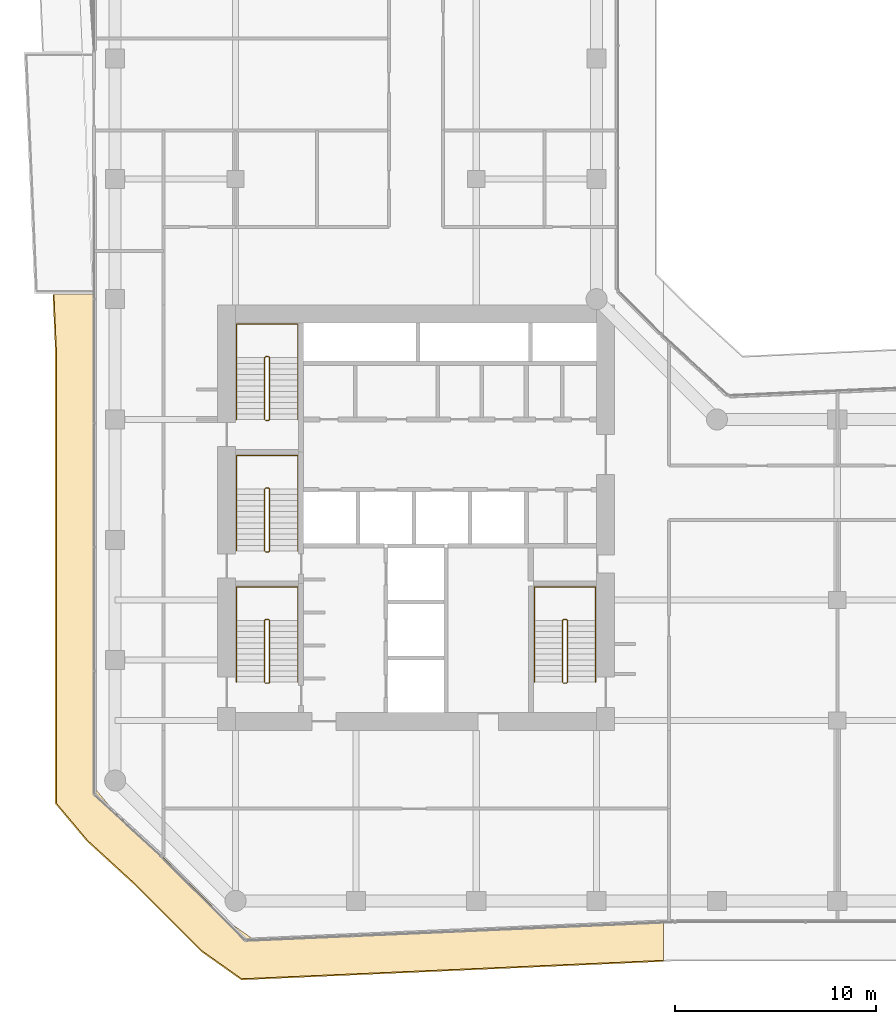
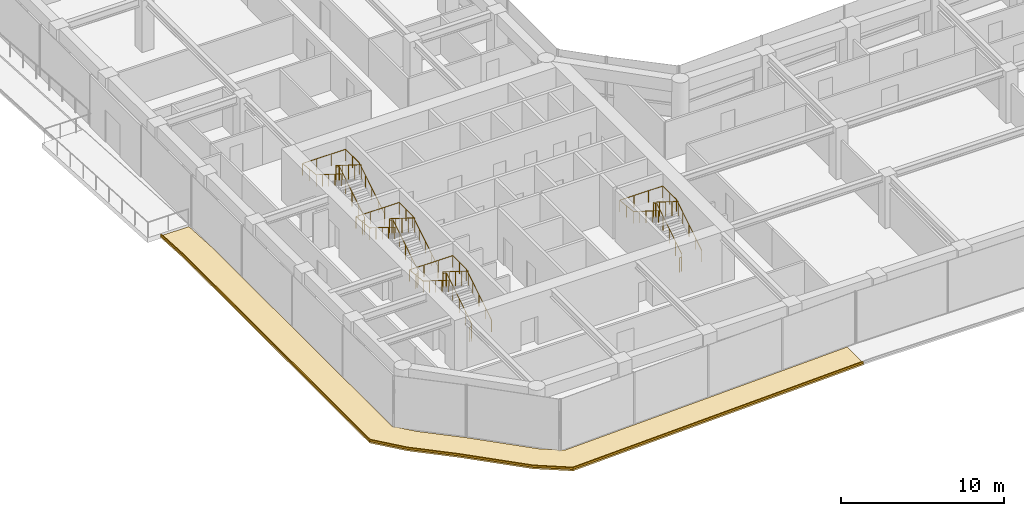
# One storey, part 28 of 29: 8 railings, 2 coverings.
"""IFC4 building model written with IfcOpenShell, lengths in metres."""

from ifc_helpers import new_model, si_unit, direction, frame, origin, origin_2d, place, context, subcontext, project, spatial, polyline, circle, outline, extrude, material, layer, layer_set, type_object, element, save


model = new_model("IFC4")

# Units and contexts
model_context = context("Model", 3, precision=1e-05, world=origin(), true_north=direction((0.0, 1.0)))
body_context = subcontext(model_context, "Body", "Model", "MODEL_VIEW")
ifc_project = project(units=[si_unit("LENGTHUNIT", "METRE"), si_unit("AREAUNIT", "SQUARE_METRE"), si_unit("VOLUMEUNIT", "CUBIC_METRE"), si_unit("PLANEANGLEUNIT", "RADIAN"), si_unit("MASSUNIT", "GRAM", prefix="KILO")], contexts=[model_context])

# Site, building, storey
site_placement = place(None, origin())
site = spatial("IfcSite", under=ifc_project, at=site_placement, CompositionType="ELEMENT")
building_placement = place(site_placement, origin())
building = spatial("IfcBuilding", under=site, at=building_placement, Name="Welwitschia Terrace Campus", CompositionType="ELEMENT")
storey_placement = place(building_placement, frame((0.0, 0.0, 62.60009765625)))
storey = spatial("IfcBuildingStorey", under=building, at=storey_placement, Name="L14", CompositionType="ELEMENT", Elevation=62.60009765625)

# Railings
ifc_material_1 = material(Name="Steel S355", Category="steel")
railing_type_1 = type_object("IfcRailingType", Name="Stair guard 1100", PredefinedType="GUARDRAIL", material=ifc_material_1)
railing_1_placement = place(storey_placement, frame((7.5, 6.85009765625, 0.0)))
element("IfcRailing", 1, at=railing_1_placement, inside=storey, type_object=railing_type_1, Name="L14 S1 stair guard", PredefinedType="GUARDRAIL", context=body_context, shape_type="SweptSolid", body=[
    extrude(circle(Radius=0.02392578125, at=origin_2d()), frame((0.0, 0.0, 1.076171875), z_axis=(1.0, 0.0, 0.0), x_axis=(0.0, 1.0, 0.0)), (0.0, 0.0, 1.0), 0.14990234375),
    extrude(circle(Radius=0.02392578125, at=origin_2d()), frame((0.14990234375, 0.0, 1.076171875), z_axis=(0.265474339444, 0.264179342666, 0.927217692888), x_axis=(-0.705375805398, 0.708833529934, 0.0)), (0.0, 0.0, 1.0), 0.1884765625),
    extrude(circle(Radius=0.02392578125, at=origin_2d()), frame((0.199951171875, 0.0498046875, 1.2509765625), z_axis=(0.0, 0.847998304005, 0.529998940003), x_axis=(-1.0, 0.0, 0.0)), (0.0, 0.0, 1.0), 3.632080078125),
    extrude(circle(Radius=0.02392578125, at=origin_2d()), frame((0.199951171875, 3.1298828125, 3.17578125), z_axis=(-0.707106781187, 0.707106781187, 0.0), x_axis=(-0.707106781187, -0.707106781187, 0.0)), (0.0, 0.0, 1.0), 0.07080078125),
    extrude(circle(Radius=0.02392578125, at=origin_2d()), frame((0.14990234375, 3.179931640625, 3.17578125), z_axis=(-1.0, 0.0, 0.0), x_axis=(0.0, -1.0, 0.0)), (0.0, 0.0, 1.0), 0.14990234375),
    extrude(circle(Radius=0.02392578125, at=origin_2d()), frame((0.0, 3.179931640625, 3.17578125), z_axis=(-0.265065253269, -0.265065253269, 0.927081885822), x_axis=(0.707106781187, -0.707106781187, 0.0)), (0.0, 0.0, 1.0), 0.188720703125),
    extrude(circle(Radius=0.02392578125, at=origin_2d()), frame((-0.050048828125, 3.1298828125, 3.35107421875), z_axis=(0.0, -0.847998304005, 0.529998940003), x_axis=(1.0, 0.0, 0.0)), (0.0, 0.0, 1.0), 3.632080078125),
    extrude(circle(Radius=0.02099609375, at=origin_2d()), origin(), (0.0, 0.0, 1.0), 1.052001953125),
    extrude(circle(Radius=0.02099609375, at=origin_2d()), frame((0.14990234375, 0.0, 0.0)), (0.0, 0.0, 1.0), 1.052001953125),
    extrude(circle(Radius=0.02099609375, at=origin_2d()), frame((0.199951171875, 0.0498046875, 0.1748046875)), (0.0, 0.0, 1.0), 1.052001953125),
    extrude(circle(Radius=0.02099609375, at=origin_2d()), frame((0.199951171875, 0.81982421875, 0.656005859375)), (0.0, 0.0, 1.0), 1.052001953125),
    extrude(circle(Radius=0.02099609375, at=origin_2d()), frame((0.199951171875, 1.58984375, 1.13720703125)), (0.0, 0.0, 1.0), 1.052001953125),
    extrude(circle(Radius=0.02099609375, at=origin_2d()), frame((0.199951171875, 2.35986328125, 1.61865234375)), (0.0, 0.0, 1.0), 1.052001953125),
    extrude(circle(Radius=0.02099609375, at=origin_2d()), frame((0.199951171875, 3.1298828125, 2.099853515625)), (0.0, 0.0, 1.0), 1.052001953125),
    extrude(circle(Radius=0.02099609375, at=origin_2d()), frame((0.14990234375, 3.179931640625, 2.099853515625)), (0.0, 0.0, 1.0), 1.052001953125),
    extrude(circle(Radius=0.02099609375, at=origin_2d()), frame((0.0, 3.179931640625, 2.099853515625)), (0.0, 0.0, 1.0), 1.052001953125),
    extrude(circle(Radius=0.02099609375, at=origin_2d()), frame((-0.050048828125, 3.1298828125, 2.27490234375)), (0.0, 0.0, 1.0), 1.052001953125),
    extrude(circle(Radius=0.02099609375, at=origin_2d()), frame((-0.050048828125, 2.35986328125, 2.756103515625)), (0.0, 0.0, 1.0), 1.052001953125),
    extrude(circle(Radius=0.02099609375, at=origin_2d()), frame((-0.050048828125, 1.58984375, 3.2373046875)), (0.0, 0.0, 1.0), 1.052001953125),
    extrude(circle(Radius=0.02099609375, at=origin_2d()), frame((-0.050048828125, 0.81982421875, 3.71875)), (0.0, 0.0, 1.0), 1.052001953125),
    extrude(circle(Radius=0.02099609375, at=origin_2d()), frame((-0.050048828125, 0.0498046875, 4.199951171875)), (0.0, 0.0, 1.0), 1.052001953125),
])
railing_2_placement = place(storey_placement, frame((7.5, 13.39990234375, 0.0)))
element("IfcRailing", 2, at=railing_2_placement, inside=storey, type_object=railing_type_1, Name="L14 S3 stair guard", PredefinedType="GUARDRAIL", context=body_context, shape_type="SweptSolid", body=[
    extrude(circle(Radius=0.02392578125, at=origin_2d()), frame((0.0, 0.0, 1.076171875), z_axis=(1.0, 0.0, 0.0), x_axis=(0.0, 1.0, 0.0)), (0.0, 0.0, 1.0), 0.14990234375),
    extrude(circle(Radius=0.02392578125, at=origin_2d()), frame((0.14990234375, 0.0, 1.076171875), z_axis=(0.265383341853, 0.265383341853, 0.926899867156), x_axis=(-0.707106781187, 0.707106781187, 0.0)), (0.0, 0.0, 1.0), 0.1884765625),
    extrude(circle(Radius=0.02392578125, at=origin_2d()), frame((0.199951171875, 0.050048828125, 1.2509765625), z_axis=(0.0, 0.847998304005, 0.529998940003), x_axis=(-1.0, 0.0, 0.0)), (0.0, 0.0, 1.0), 3.632080078125),
    extrude(circle(Radius=0.02392578125, at=origin_2d()), frame((0.199951171875, 3.130126953125, 3.17578125), z_axis=(-0.707106781187, 0.707106781187, 0.0), x_axis=(-0.707106781187, -0.707106781187, 0.0)), (0.0, 0.0, 1.0), 0.07080078125),
    extrude(circle(Radius=0.02392578125, at=origin_2d()), frame((0.14990234375, 3.18017578125, 3.17578125), z_axis=(-1.0, 0.0, 0.0), x_axis=(0.0, -1.0, 0.0)), (0.0, 0.0, 1.0), 0.14990234375),
    extrude(circle(Radius=0.02392578125, at=origin_2d()), frame((0.0, 3.18017578125, 3.17578125), z_axis=(-0.265065253269, -0.265065253269, 0.927081885822), x_axis=(0.707106781187, -0.707106781187, 0.0)), (0.0, 0.0, 1.0), 0.188720703125),
    extrude(circle(Radius=0.02392578125, at=origin_2d()), frame((-0.050048828125, 3.130126953125, 3.35107421875), z_axis=(0.0, -0.847998304005, 0.529998940003), x_axis=(1.0, 0.0, 0.0)), (0.0, 0.0, 1.0), 3.632080078125),
    extrude(circle(Radius=0.02099609375, at=origin_2d()), origin(), (0.0, 0.0, 1.0), 1.052001953125),
    extrude(circle(Radius=0.02099609375, at=origin_2d()), frame((0.14990234375, 0.0, 0.0)), (0.0, 0.0, 1.0), 1.052001953125),
    extrude(circle(Radius=0.02099609375, at=origin_2d()), frame((0.199951171875, 0.050048828125, 0.1748046875)), (0.0, 0.0, 1.0), 1.052001953125),
    extrude(circle(Radius=0.02099609375, at=origin_2d()), frame((0.199951171875, 0.820068359375, 0.656005859375)), (0.0, 0.0, 1.0), 1.052001953125),
    extrude(circle(Radius=0.02099609375, at=origin_2d()), frame((0.199951171875, 1.590087890625, 1.13720703125)), (0.0, 0.0, 1.0), 1.052001953125),
    extrude(circle(Radius=0.02099609375, at=origin_2d()), frame((0.199951171875, 2.360107421875, 1.61865234375)), (0.0, 0.0, 1.0), 1.052001953125),
    extrude(circle(Radius=0.02099609375, at=origin_2d()), frame((0.199951171875, 3.130126953125, 2.099853515625)), (0.0, 0.0, 1.0), 1.052001953125),
    extrude(circle(Radius=0.02099609375, at=origin_2d()), frame((0.14990234375, 3.18017578125, 2.099853515625)), (0.0, 0.0, 1.0), 1.052001953125),
    extrude(circle(Radius=0.02099609375, at=origin_2d()), frame((0.0, 3.18017578125, 2.099853515625)), (0.0, 0.0, 1.0), 1.052001953125),
    extrude(circle(Radius=0.02099609375, at=origin_2d()), frame((-0.050048828125, 3.130126953125, 2.27490234375)), (0.0, 0.0, 1.0), 1.052001953125),
    extrude(circle(Radius=0.02099609375, at=origin_2d()), frame((-0.050048828125, 2.360107421875, 2.756103515625)), (0.0, 0.0, 1.0), 1.052001953125),
    extrude(circle(Radius=0.02099609375, at=origin_2d()), frame((-0.050048828125, 1.590087890625, 3.2373046875)), (0.0, 0.0, 1.0), 1.052001953125),
    extrude(circle(Radius=0.02099609375, at=origin_2d()), frame((-0.050048828125, 0.820068359375, 3.71875)), (0.0, 0.0, 1.0), 1.052001953125),
    extrude(circle(Radius=0.02099609375, at=origin_2d()), frame((-0.050048828125, 0.050048828125, 4.199951171875)), (0.0, 0.0, 1.0), 1.052001953125),
])
railing_3_placement = place(storey_placement, frame((7.5, 19.949951171875, 0.0)))
element("IfcRailing", 3, at=railing_3_placement, inside=storey, type_object=railing_type_1, Name="L14 S4 stair guard", PredefinedType="GUARDRAIL", context=body_context, shape_type="SweptSolid", body=[
    extrude(circle(Radius=0.02392578125, at=origin_2d()), frame((0.0, 0.0, 1.076171875), z_axis=(1.0, 0.0, 0.0), x_axis=(0.0, 1.0, 0.0)), (0.0, 0.0, 1.0), 0.14990234375),
    extrude(circle(Radius=0.02392578125, at=origin_2d()), frame((0.14990234375, 0.0, 1.076171875), z_axis=(0.265383341853, 0.265383341853, 0.926899867156), x_axis=(-0.707106781187, 0.707106781187, 0.0)), (0.0, 0.0, 1.0), 0.1884765625),
    extrude(circle(Radius=0.02392578125, at=origin_2d()), frame((0.199951171875, 0.050048828125, 1.2509765625), z_axis=(0.0, 0.847998304005, 0.529998940003), x_axis=(-1.0, 0.0, 0.0)), (0.0, 0.0, 1.0), 3.632080078125),
    extrude(circle(Radius=0.02392578125, at=origin_2d()), frame((0.199951171875, 3.130126953125, 3.17578125), z_axis=(-0.708833529934, 0.705375805398, 0.0), x_axis=(-0.705375805398, -0.708833529934, 0.0)), (0.0, 0.0, 1.0), 0.070556640625),
    extrude(circle(Radius=0.02392578125, at=origin_2d()), frame((0.14990234375, 3.179931640625, 3.17578125), z_axis=(-1.0, 0.0, 0.0), x_axis=(0.0, -1.0, 0.0)), (0.0, 0.0, 1.0), 0.14990234375),
    extrude(circle(Radius=0.02392578125, at=origin_2d()), frame((0.0, 3.179931640625, 3.17578125), z_axis=(-0.265155923931, -0.263862480399, 0.927399011991), x_axis=(0.705375805398, -0.708833529934, 0.0)), (0.0, 0.0, 1.0), 0.188720703125),
    extrude(circle(Radius=0.02392578125, at=origin_2d()), frame((-0.050048828125, 3.130126953125, 3.35107421875), z_axis=(0.0, -0.847998304005, 0.529998940003), x_axis=(1.0, 0.0, 0.0)), (0.0, 0.0, 1.0), 3.632080078125),
    extrude(circle(Radius=0.02099609375, at=origin_2d()), origin(), (0.0, 0.0, 1.0), 1.052001953125),
    extrude(circle(Radius=0.02099609375, at=origin_2d()), frame((0.14990234375, 0.0, 0.0)), (0.0, 0.0, 1.0), 1.052001953125),
    extrude(circle(Radius=0.02099609375, at=origin_2d()), frame((0.199951171875, 0.050048828125, 0.1748046875)), (0.0, 0.0, 1.0), 1.052001953125),
    extrude(circle(Radius=0.02099609375, at=origin_2d()), frame((0.199951171875, 0.820068359375, 0.656005859375)), (0.0, 0.0, 1.0), 1.052001953125),
    extrude(circle(Radius=0.02099609375, at=origin_2d()), frame((0.199951171875, 1.590087890625, 1.13720703125)), (0.0, 0.0, 1.0), 1.052001953125),
    extrude(circle(Radius=0.02099609375, at=origin_2d()), frame((0.199951171875, 2.360107421875, 1.61865234375)), (0.0, 0.0, 1.0), 1.052001953125),
    extrude(circle(Radius=0.02099609375, at=origin_2d()), frame((0.199951171875, 3.130126953125, 2.099853515625)), (0.0, 0.0, 1.0), 1.052001953125),
    extrude(circle(Radius=0.02099609375, at=origin_2d()), frame((0.14990234375, 3.179931640625, 2.099853515625)), (0.0, 0.0, 1.0), 1.052001953125),
    extrude(circle(Radius=0.02099609375, at=origin_2d()), frame((0.0, 3.179931640625, 2.099853515625)), (0.0, 0.0, 1.0), 1.052001953125),
    extrude(circle(Radius=0.02099609375, at=origin_2d()), frame((-0.050048828125, 3.130126953125, 2.27490234375)), (0.0, 0.0, 1.0), 1.052001953125),
    extrude(circle(Radius=0.02099609375, at=origin_2d()), frame((-0.050048828125, 2.360107421875, 2.756103515625)), (0.0, 0.0, 1.0), 1.052001953125),
    extrude(circle(Radius=0.02099609375, at=origin_2d()), frame((-0.050048828125, 1.590087890625, 3.2373046875)), (0.0, 0.0, 1.0), 1.052001953125),
    extrude(circle(Radius=0.02099609375, at=origin_2d()), frame((-0.050048828125, 0.820068359375, 3.71875)), (0.0, 0.0, 1.0), 1.052001953125),
    extrude(circle(Radius=0.02099609375, at=origin_2d()), frame((-0.050048828125, 0.050048828125, 4.199951171875)), (0.0, 0.0, 1.0), 1.052001953125),
])
railing_4_placement = place(storey_placement, frame((22.35009765625, 6.85009765625, 0.0)))
element("IfcRailing", 4, at=railing_4_placement, inside=storey, type_object=railing_type_1, Name="L14 S2 stair guard", PredefinedType="GUARDRAIL", context=body_context, shape_type="SweptSolid", body=[
    extrude(circle(Radius=0.02392578125, at=origin_2d()), frame((0.0, 0.0, 1.076171875), z_axis=(1.0, 0.0, 0.0), x_axis=(0.0, 1.0, 0.0)), (0.0, 0.0, 1.0), 0.14990234375),
    extrude(circle(Radius=0.02392578125, at=origin_2d()), frame((0.14990234375, 0.0, 1.076171875), z_axis=(0.265474339444, 0.264179342666, 0.927217692888), x_axis=(-0.705375805398, 0.708833529934, 0.0)), (0.0, 0.0, 1.0), 0.1884765625),
    extrude(circle(Radius=0.02392578125, at=origin_2d()), frame((0.199951171875, 0.0498046875, 1.2509765625), z_axis=(0.0, 0.847998304005, 0.529998940003), x_axis=(-1.0, 0.0, 0.0)), (0.0, 0.0, 1.0), 3.632080078125),
    extrude(circle(Radius=0.02392578125, at=origin_2d()), frame((0.199951171875, 3.1298828125, 3.17578125), z_axis=(-0.707106781187, 0.707106781187, 0.0), x_axis=(-0.707106781187, -0.707106781187, 0.0)), (0.0, 0.0, 1.0), 0.07080078125),
    extrude(circle(Radius=0.02392578125, at=origin_2d()), frame((0.14990234375, 3.179931640625, 3.17578125), z_axis=(-1.0, 0.0, 0.0), x_axis=(0.0, -1.0, 0.0)), (0.0, 0.0, 1.0), 0.14990234375),
    extrude(circle(Radius=0.02392578125, at=origin_2d()), frame((0.0, 3.179931640625, 3.17578125), z_axis=(-0.265065253269, -0.265065253269, 0.927081885822), x_axis=(0.707106781187, -0.707106781187, 0.0)), (0.0, 0.0, 1.0), 0.188720703125),
    extrude(circle(Radius=0.02392578125, at=origin_2d()), frame((-0.050048828125, 3.1298828125, 3.35107421875), z_axis=(0.0, -0.847998304005, 0.529998940003), x_axis=(1.0, 0.0, 0.0)), (0.0, 0.0, 1.0), 3.632080078125),
    extrude(circle(Radius=0.02099609375, at=origin_2d()), origin(), (0.0, 0.0, 1.0), 1.052001953125),
    extrude(circle(Radius=0.02099609375, at=origin_2d()), frame((0.14990234375, 0.0, 0.0)), (0.0, 0.0, 1.0), 1.052001953125),
    extrude(circle(Radius=0.02099609375, at=origin_2d()), frame((0.199951171875, 0.0498046875, 0.1748046875)), (0.0, 0.0, 1.0), 1.052001953125),
    extrude(circle(Radius=0.02099609375, at=origin_2d()), frame((0.199951171875, 0.81982421875, 0.656005859375)), (0.0, 0.0, 1.0), 1.052001953125),
    extrude(circle(Radius=0.02099609375, at=origin_2d()), frame((0.199951171875, 1.58984375, 1.13720703125)), (0.0, 0.0, 1.0), 1.052001953125),
    extrude(circle(Radius=0.02099609375, at=origin_2d()), frame((0.199951171875, 2.35986328125, 1.61865234375)), (0.0, 0.0, 1.0), 1.052001953125),
    extrude(circle(Radius=0.02099609375, at=origin_2d()), frame((0.199951171875, 3.1298828125, 2.099853515625)), (0.0, 0.0, 1.0), 1.052001953125),
    extrude(circle(Radius=0.02099609375, at=origin_2d()), frame((0.14990234375, 3.179931640625, 2.099853515625)), (0.0, 0.0, 1.0), 1.052001953125),
    extrude(circle(Radius=0.02099609375, at=origin_2d()), frame((0.0, 3.179931640625, 2.099853515625)), (0.0, 0.0, 1.0), 1.052001953125),
    extrude(circle(Radius=0.02099609375, at=origin_2d()), frame((-0.050048828125, 3.1298828125, 2.27490234375)), (0.0, 0.0, 1.0), 1.052001953125),
    extrude(circle(Radius=0.02099609375, at=origin_2d()), frame((-0.050048828125, 2.35986328125, 2.756103515625)), (0.0, 0.0, 1.0), 1.052001953125),
    extrude(circle(Radius=0.02099609375, at=origin_2d()), frame((-0.050048828125, 1.58984375, 3.2373046875)), (0.0, 0.0, 1.0), 1.052001953125),
    extrude(circle(Radius=0.02099609375, at=origin_2d()), frame((-0.050048828125, 0.81982421875, 3.71875)), (0.0, 0.0, 1.0), 1.052001953125),
    extrude(circle(Radius=0.02099609375, at=origin_2d()), frame((-0.050048828125, 0.0498046875, 4.199951171875)), (0.0, 0.0, 1.0), 1.052001953125),
])
ifc_material_2 = material(Name="Steel S355", Category="steel")
railing_type_2 = type_object("IfcRailingType", Name="Stair handrail 900", PredefinedType="HANDRAIL", material=ifc_material_2)
railing_5_placement = place(storey_placement, frame((9.10009765625, 6.89990234375, 0.1748046875)))
element("IfcRailing", 5, at=railing_5_placement, inside=storey, type_object=railing_type_2, Name="L14 S1 stair handrail", PredefinedType="HANDRAIL", context=body_context, shape_type="SweptSolid", body=[
    extrude(circle(Radius=0.02392578125, at=origin_2d()), frame((0.0, 0.0, 0.8759765625), z_axis=(0.0, 0.847998304005, 0.529998940003), x_axis=(-1.0, 0.0, 0.0)), (0.0, 0.0, 1.0), 3.632080078125),
    extrude(circle(Radius=0.02392578125, at=origin_2d()), frame((0.0, 3.080078125, 2.80078125), z_axis=(0.0, 1.0, 0.0), x_axis=(-1.0, 0.0, 0.0)), (0.0, 0.0, 1.0), 1.669921875),
    extrude(circle(Radius=0.02392578125, at=origin_2d()), frame((0.0, 4.75, 2.80078125), z_axis=(-1.0, 0.0, 0.0), x_axis=(0.0, -1.0, 0.0)), (0.0, 0.0, 1.0), 3.050048828125),
    extrude(circle(Radius=0.02392578125, at=origin_2d()), frame((-3.050048828125, 4.75, 2.80078125), z_axis=(0.0, -0.99455077262, 0.104253348533), x_axis=(1.0, 0.0, 0.0)), (0.0, 0.0, 1.0), 1.678955078125),
    extrude(circle(Radius=0.02392578125, at=origin_2d()), frame((-3.050048828125, 3.080078125, 2.97607421875), z_axis=(0.0, -0.847998304005, 0.529998940003), x_axis=(1.0, 0.0, 0.0)), (0.0, 0.0, 1.0), 3.632080078125),
    extrude(circle(Radius=0.02099609375, at=origin_2d()), origin(), (0.0, 0.0, 1.0), 0.851806640625),
    extrude(circle(Radius=0.02099609375, at=origin_2d()), frame((0.0, 0.77001953125, 0.481201171875)), (0.0, 0.0, 1.0), 0.851806640625),
    extrude(circle(Radius=0.02099609375, at=origin_2d()), frame((0.0, 1.5400390625, 0.96240234375)), (0.0, 0.0, 1.0), 0.851806640625),
    extrude(circle(Radius=0.02099609375, at=origin_2d()), frame((0.0, 2.31005859375, 1.44384765625)), (0.0, 0.0, 1.0), 0.851806640625),
    extrude(circle(Radius=0.02099609375, at=origin_2d()), frame((0.0, 3.080078125, 1.925048828125)), (0.0, 0.0, 1.0), 0.851806640625),
    extrude(circle(Radius=0.02099609375, at=origin_2d()), frame((0.0, 3.9150390625, 1.925048828125)), (0.0, 0.0, 1.0), 0.851806640625),
    extrude(circle(Radius=0.02099609375, at=origin_2d()), frame((0.0, 4.75, 1.925048828125)), (0.0, 0.0, 1.0), 0.851806640625),
    extrude(circle(Radius=0.02099609375, at=origin_2d()), frame((-1.0166015625, 4.75, 1.925048828125)), (0.0, 0.0, 1.0), 0.851806640625),
    extrude(circle(Radius=0.02099609375, at=origin_2d()), frame((-2.033447265625, 4.75, 1.925048828125)), (0.0, 0.0, 1.0), 0.851806640625),
    extrude(circle(Radius=0.02099609375, at=origin_2d()), frame((-3.050048828125, 4.75, 1.925048828125)), (0.0, 0.0, 1.0), 0.851806640625),
    extrude(circle(Radius=0.02099609375, at=origin_2d()), frame((-3.050048828125, 3.9150390625, 2.0126953125)), (0.0, 0.0, 1.0), 0.851806640625),
    extrude(circle(Radius=0.02099609375, at=origin_2d()), frame((-3.050048828125, 3.080078125, 2.10009765625)), (0.0, 0.0, 1.0), 0.851806640625),
    extrude(circle(Radius=0.02099609375, at=origin_2d()), frame((-3.050048828125, 2.31005859375, 2.581298828125)), (0.0, 0.0, 1.0), 0.851806640625),
    extrude(circle(Radius=0.02099609375, at=origin_2d()), frame((-3.050048828125, 1.5400390625, 3.0625)), (0.0, 0.0, 1.0), 0.851806640625),
    extrude(circle(Radius=0.02099609375, at=origin_2d()), frame((-3.050048828125, 0.77001953125, 3.5439453125)), (0.0, 0.0, 1.0), 0.851806640625),
    extrude(circle(Radius=0.02099609375, at=origin_2d()), frame((-3.050048828125, 0.0, 4.025146484375)), (0.0, 0.0, 1.0), 0.851806640625),
])
railing_6_placement = place(storey_placement, frame((9.10009765625, 13.449951171875, 0.1748046875)))
element("IfcRailing", 6, at=railing_6_placement, inside=storey, type_object=railing_type_2, Name="L14 S3 stair handrail", PredefinedType="HANDRAIL", context=body_context, shape_type="SweptSolid", body=[
    extrude(circle(Radius=0.02392578125, at=origin_2d()), frame((0.0, 0.0, 0.8759765625), z_axis=(0.0, 0.847998304005, 0.529998940003), x_axis=(-1.0, 0.0, 0.0)), (0.0, 0.0, 1.0), 3.632080078125),
    extrude(circle(Radius=0.02392578125, at=origin_2d()), frame((0.0, 3.080078125, 2.80078125), z_axis=(0.0, 1.0, 0.0), x_axis=(-1.0, 0.0, 0.0)), (0.0, 0.0, 1.0), 1.669921875),
    extrude(circle(Radius=0.02392578125, at=origin_2d()), frame((0.0, 4.75, 2.80078125), z_axis=(-1.0, 0.0, 0.0), x_axis=(0.0, -1.0, 0.0)), (0.0, 0.0, 1.0), 3.050048828125),
    extrude(circle(Radius=0.02392578125, at=origin_2d()), frame((-3.050048828125, 4.75, 2.80078125), z_axis=(0.0, -0.99455077262, 0.104253348533), x_axis=(1.0, 0.0, 0.0)), (0.0, 0.0, 1.0), 1.678955078125),
    extrude(circle(Radius=0.02392578125, at=origin_2d()), frame((-3.050048828125, 3.080078125, 2.97607421875), z_axis=(0.0, -0.847998304005, 0.529998940003), x_axis=(1.0, 0.0, 0.0)), (0.0, 0.0, 1.0), 3.632080078125),
    extrude(circle(Radius=0.02099609375, at=origin_2d()), origin(), (0.0, 0.0, 1.0), 0.851806640625),
    extrude(circle(Radius=0.02099609375, at=origin_2d()), frame((0.0, 0.77001953125, 0.481201171875)), (0.0, 0.0, 1.0), 0.851806640625),
    extrude(circle(Radius=0.02099609375, at=origin_2d()), frame((0.0, 1.5400390625, 0.96240234375)), (0.0, 0.0, 1.0), 0.851806640625),
    extrude(circle(Radius=0.02099609375, at=origin_2d()), frame((0.0, 2.31005859375, 1.44384765625)), (0.0, 0.0, 1.0), 0.851806640625),
    extrude(circle(Radius=0.02099609375, at=origin_2d()), frame((0.0, 3.080078125, 1.925048828125)), (0.0, 0.0, 1.0), 0.851806640625),
    extrude(circle(Radius=0.02099609375, at=origin_2d()), frame((0.0, 3.9150390625, 1.925048828125)), (0.0, 0.0, 1.0), 0.851806640625),
    extrude(circle(Radius=0.02099609375, at=origin_2d()), frame((0.0, 4.75, 1.925048828125)), (0.0, 0.0, 1.0), 0.851806640625),
    extrude(circle(Radius=0.02099609375, at=origin_2d()), frame((-1.0166015625, 4.75, 1.925048828125)), (0.0, 0.0, 1.0), 0.851806640625),
    extrude(circle(Radius=0.02099609375, at=origin_2d()), frame((-2.033447265625, 4.75, 1.925048828125)), (0.0, 0.0, 1.0), 0.851806640625),
    extrude(circle(Radius=0.02099609375, at=origin_2d()), frame((-3.050048828125, 4.75, 1.925048828125)), (0.0, 0.0, 1.0), 0.851806640625),
    extrude(circle(Radius=0.02099609375, at=origin_2d()), frame((-3.050048828125, 3.9150390625, 2.0126953125)), (0.0, 0.0, 1.0), 0.851806640625),
    extrude(circle(Radius=0.02099609375, at=origin_2d()), frame((-3.050048828125, 3.080078125, 2.10009765625)), (0.0, 0.0, 1.0), 0.851806640625),
    extrude(circle(Radius=0.02099609375, at=origin_2d()), frame((-3.050048828125, 2.31005859375, 2.581298828125)), (0.0, 0.0, 1.0), 0.851806640625),
    extrude(circle(Radius=0.02099609375, at=origin_2d()), frame((-3.050048828125, 1.5400390625, 3.0625)), (0.0, 0.0, 1.0), 0.851806640625),
    extrude(circle(Radius=0.02099609375, at=origin_2d()), frame((-3.050048828125, 0.77001953125, 3.5439453125)), (0.0, 0.0, 1.0), 0.851806640625),
    extrude(circle(Radius=0.02099609375, at=origin_2d()), frame((-3.050048828125, 0.0, 4.025146484375)), (0.0, 0.0, 1.0), 0.851806640625),
])
railing_7_placement = place(storey_placement, frame((9.10009765625, 20.0, 0.1748046875)))
element("IfcRailing", 7, at=railing_7_placement, inside=storey, type_object=railing_type_2, Name="L14 S4 stair handrail", PredefinedType="HANDRAIL", context=body_context, shape_type="SweptSolid", body=[
    extrude(circle(Radius=0.02392578125, at=origin_2d()), frame((0.0, 0.0, 0.8759765625), z_axis=(0.0, 0.847998304005, 0.529998940003), x_axis=(-1.0, 0.0, 0.0)), (0.0, 0.0, 1.0), 3.632080078125),
    extrude(circle(Radius=0.02392578125, at=origin_2d()), frame((0.0, 3.080078125, 2.80078125), z_axis=(0.0, 1.0, 0.0), x_axis=(-1.0, 0.0, 0.0)), (0.0, 0.0, 1.0), 1.669921875),
    extrude(circle(Radius=0.02392578125, at=origin_2d()), frame((0.0, 4.75, 2.80078125), z_axis=(-1.0, 0.0, 0.0), x_axis=(0.0, -1.0, 0.0)), (0.0, 0.0, 1.0), 3.050048828125),
    extrude(circle(Radius=0.02392578125, at=origin_2d()), frame((-3.050048828125, 4.75, 2.80078125), z_axis=(0.0, -0.99455077262, 0.104253348533), x_axis=(1.0, 0.0, 0.0)), (0.0, 0.0, 1.0), 1.678955078125),
    extrude(circle(Radius=0.02392578125, at=origin_2d()), frame((-3.050048828125, 3.080078125, 2.97607421875), z_axis=(0.0, -0.847998304005, 0.529998940003), x_axis=(1.0, 0.0, 0.0)), (0.0, 0.0, 1.0), 3.632080078125),
    extrude(circle(Radius=0.02099609375, at=origin_2d()), origin(), (0.0, 0.0, 1.0), 0.851806640625),
    extrude(circle(Radius=0.02099609375, at=origin_2d()), frame((0.0, 0.77001953125, 0.481201171875)), (0.0, 0.0, 1.0), 0.851806640625),
    extrude(circle(Radius=0.02099609375, at=origin_2d()), frame((0.0, 1.5400390625, 0.96240234375)), (0.0, 0.0, 1.0), 0.851806640625),
    extrude(circle(Radius=0.02099609375, at=origin_2d()), frame((0.0, 2.31005859375, 1.44384765625)), (0.0, 0.0, 1.0), 0.851806640625),
    extrude(circle(Radius=0.02099609375, at=origin_2d()), frame((0.0, 3.080078125, 1.925048828125)), (0.0, 0.0, 1.0), 0.851806640625),
    extrude(circle(Radius=0.02099609375, at=origin_2d()), frame((0.0, 3.9150390625, 1.925048828125)), (0.0, 0.0, 1.0), 0.851806640625),
    extrude(circle(Radius=0.02099609375, at=origin_2d()), frame((0.0, 4.75, 1.925048828125)), (0.0, 0.0, 1.0), 0.851806640625),
    extrude(circle(Radius=0.02099609375, at=origin_2d()), frame((-1.0166015625, 4.75, 1.925048828125)), (0.0, 0.0, 1.0), 0.851806640625),
    extrude(circle(Radius=0.02099609375, at=origin_2d()), frame((-2.033447265625, 4.75, 1.925048828125)), (0.0, 0.0, 1.0), 0.851806640625),
    extrude(circle(Radius=0.02099609375, at=origin_2d()), frame((-3.050048828125, 4.75, 1.925048828125)), (0.0, 0.0, 1.0), 0.851806640625),
    extrude(circle(Radius=0.02099609375, at=origin_2d()), frame((-3.050048828125, 3.9150390625, 2.0126953125)), (0.0, 0.0, 1.0), 0.851806640625),
    extrude(circle(Radius=0.02099609375, at=origin_2d()), frame((-3.050048828125, 3.080078125, 2.10009765625)), (0.0, 0.0, 1.0), 0.851806640625),
    extrude(circle(Radius=0.02099609375, at=origin_2d()), frame((-3.050048828125, 2.31005859375, 2.581298828125)), (0.0, 0.0, 1.0), 0.851806640625),
    extrude(circle(Radius=0.02099609375, at=origin_2d()), frame((-3.050048828125, 1.5400390625, 3.0625)), (0.0, 0.0, 1.0), 0.851806640625),
    extrude(circle(Radius=0.02099609375, at=origin_2d()), frame((-3.050048828125, 0.77001953125, 3.5439453125)), (0.0, 0.0, 1.0), 0.851806640625),
    extrude(circle(Radius=0.02099609375, at=origin_2d()), frame((-3.050048828125, 0.0, 4.025146484375)), (0.0, 0.0, 1.0), 0.851806640625),
])
railing_8_placement = place(storey_placement, frame((23.949951171875, 6.89990234375, 0.1748046875)))
element("IfcRailing", 8, at=railing_8_placement, inside=storey, type_object=railing_type_2, Name="L14 S2 stair handrail", PredefinedType="HANDRAIL", context=body_context, shape_type="SweptSolid", body=[
    extrude(circle(Radius=0.02392578125, at=origin_2d()), frame((0.0, 0.0, 0.8759765625), z_axis=(0.0, 0.847998304005, 0.529998940003), x_axis=(-1.0, 0.0, 0.0)), (0.0, 0.0, 1.0), 3.632080078125),
    extrude(circle(Radius=0.02392578125, at=origin_2d()), frame((0.0, 3.080078125, 2.80078125), z_axis=(0.0, 1.0, 0.0), x_axis=(-1.0, 0.0, 0.0)), (0.0, 0.0, 1.0), 1.669921875),
    extrude(circle(Radius=0.02392578125, at=origin_2d()), frame((0.0, 4.75, 2.80078125), z_axis=(-1.0, 0.0, 0.0), x_axis=(0.0, -1.0, 0.0)), (0.0, 0.0, 1.0), 3.050048828125),
    extrude(circle(Radius=0.02392578125, at=origin_2d()), frame((-3.050048828125, 4.75, 2.80078125), z_axis=(0.0, -0.99455077262, 0.104253348533), x_axis=(1.0, 0.0, 0.0)), (0.0, 0.0, 1.0), 1.678955078125),
    extrude(circle(Radius=0.02392578125, at=origin_2d()), frame((-3.050048828125, 3.080078125, 2.97607421875), z_axis=(0.0, -0.847998304005, 0.529998940003), x_axis=(1.0, 0.0, 0.0)), (0.0, 0.0, 1.0), 3.632080078125),
    extrude(circle(Radius=0.02099609375, at=origin_2d()), origin(), (0.0, 0.0, 1.0), 0.851806640625),
    extrude(circle(Radius=0.02099609375, at=origin_2d()), frame((0.0, 0.77001953125, 0.481201171875)), (0.0, 0.0, 1.0), 0.851806640625),
    extrude(circle(Radius=0.02099609375, at=origin_2d()), frame((0.0, 1.5400390625, 0.96240234375)), (0.0, 0.0, 1.0), 0.851806640625),
    extrude(circle(Radius=0.02099609375, at=origin_2d()), frame((0.0, 2.31005859375, 1.44384765625)), (0.0, 0.0, 1.0), 0.851806640625),
    extrude(circle(Radius=0.02099609375, at=origin_2d()), frame((0.0, 3.080078125, 1.925048828125)), (0.0, 0.0, 1.0), 0.851806640625),
    extrude(circle(Radius=0.02099609375, at=origin_2d()), frame((0.0, 3.9150390625, 1.925048828125)), (0.0, 0.0, 1.0), 0.851806640625),
    extrude(circle(Radius=0.02099609375, at=origin_2d()), frame((0.0, 4.75, 1.925048828125)), (0.0, 0.0, 1.0), 0.851806640625),
    extrude(circle(Radius=0.02099609375, at=origin_2d()), frame((-1.0166015625, 4.75, 1.925048828125)), (0.0, 0.0, 1.0), 0.851806640625),
    extrude(circle(Radius=0.02099609375, at=origin_2d()), frame((-2.033447265625, 4.75, 1.925048828125)), (0.0, 0.0, 1.0), 0.851806640625),
    extrude(circle(Radius=0.02099609375, at=origin_2d()), frame((-3.050048828125, 4.75, 1.925048828125)), (0.0, 0.0, 1.0), 0.851806640625),
    extrude(circle(Radius=0.02099609375, at=origin_2d()), frame((-3.050048828125, 3.9150390625, 2.0126953125)), (0.0, 0.0, 1.0), 0.851806640625),
    extrude(circle(Radius=0.02099609375, at=origin_2d()), frame((-3.050048828125, 3.080078125, 2.10009765625)), (0.0, 0.0, 1.0), 0.851806640625),
    extrude(circle(Radius=0.02099609375, at=origin_2d()), frame((-3.050048828125, 2.31005859375, 2.581298828125)), (0.0, 0.0, 1.0), 0.851806640625),
    extrude(circle(Radius=0.02099609375, at=origin_2d()), frame((-3.050048828125, 1.5400390625, 3.0625)), (0.0, 0.0, 1.0), 0.851806640625),
    extrude(circle(Radius=0.02099609375, at=origin_2d()), frame((-3.050048828125, 0.77001953125, 3.5439453125)), (0.0, 0.0, 1.0), 0.851806640625),
    extrude(circle(Radius=0.02099609375, at=origin_2d()), frame((-3.050048828125, 0.0, 4.025146484375)), (0.0, 0.0, 1.0), 0.851806640625),
])

# Coverings
ifc_material_3 = material(Name="Bronze anodised aluminium", Category="aluminium")
ifc_layer_1 = layer(ifc_material_3, 0.1201171875)
ifc_layer_set_1 = layer_set([ifc_layer_1], Name="Bronze anodised aluminium")
covering_type_1 = type_object("IfcCoveringType", Name="Sunshade band 2000", PredefinedType="USERDEFINED", material=ifc_layer_set_1)
covering_1_placement = place(storey_placement, frame((0.0, 0.0, -0.25)))
element("IfcCovering", 9, at=covering_1_placement, inside=storey, type_object=covering_type_1, Name="SUNSHADE L14.SW0", ObjectType="SUNSHADE", PredefinedType="USERDEFINED", context=body_context, shape_type="SweptSolid", body=[
    extrude(outline(polyline([(-1.1123046875, 26.242919921875), (-1.0, 23.668212890625), (-1.0, 1.585693359375), (0.01708984375, 0.374267578125), (2.3408203125, -1.7548828125), (5.585693359375, -5.0), (6.8837890625, -5.91796875), (27.338134765625, -5.02490234375), (27.338134765625, -7.02685546875), (6.28759765625, -7.94580078125), (4.2919921875, -6.53466796875), (0.957275390625, -3.199951171875), (-1.4306640625, -1.01171875), (-3.0, 0.857666015625), (-3.0, 23.62451171875), (-3.1142578125, 26.242919921875), (-1.1123046875, 26.242919921875)])), origin(), (0.0, 0.0, 1.0), 0.119873046875),
])
ifc_material_4 = material(Name="Bronze anodised aluminium", Category="aluminium")
ifc_layer_2 = layer(ifc_material_4, 0.06005859375)
ifc_layer_set_2 = layer_set([ifc_layer_2], Name="Bronze anodised aluminium")
covering_type_2 = type_object("IfcCoveringType", Name="Sunshade lip 60", PredefinedType="USERDEFINED", material=ifc_layer_set_2)
covering_2_placement = place(storey_placement, frame((0.0, 0.0, -0.130126953125)))
element("IfcCovering", 10, at=covering_2_placement, inside=storey, type_object=covering_type_2, Name="SUNSHADE LIP L14.SW0.0", ObjectType="SUNSHADE", PredefinedType="USERDEFINED", context=body_context, shape_type="SweptSolid", body=[
    extrude(outline(polyline([(27.338134765625, -7.02685546875), (6.28759765625, -7.94580078125), (4.2919921875, -6.53466796875), (0.957275390625, -3.199951171875), (-1.4306640625, -1.01171875), (-3.0, 0.857666015625), (-3.0, 23.62451171875), (-3.1142578125, 26.242919921875), (-3.05419921875, 26.242919921875), (-2.93994140625, 23.6259765625), (-2.93994140625, 0.87939453125), (-1.38720703125, -0.97021484375), (0.998779296875, -3.156494140625), (4.330810546875, -6.488525390625), (6.305419921875, -7.885009765625), (27.338134765625, -6.966796875), (27.338134765625, -7.02685546875)])), origin(), (0.0, 0.0, 1.0), 0.130126953125),
])

save(model, "model.ifc")
